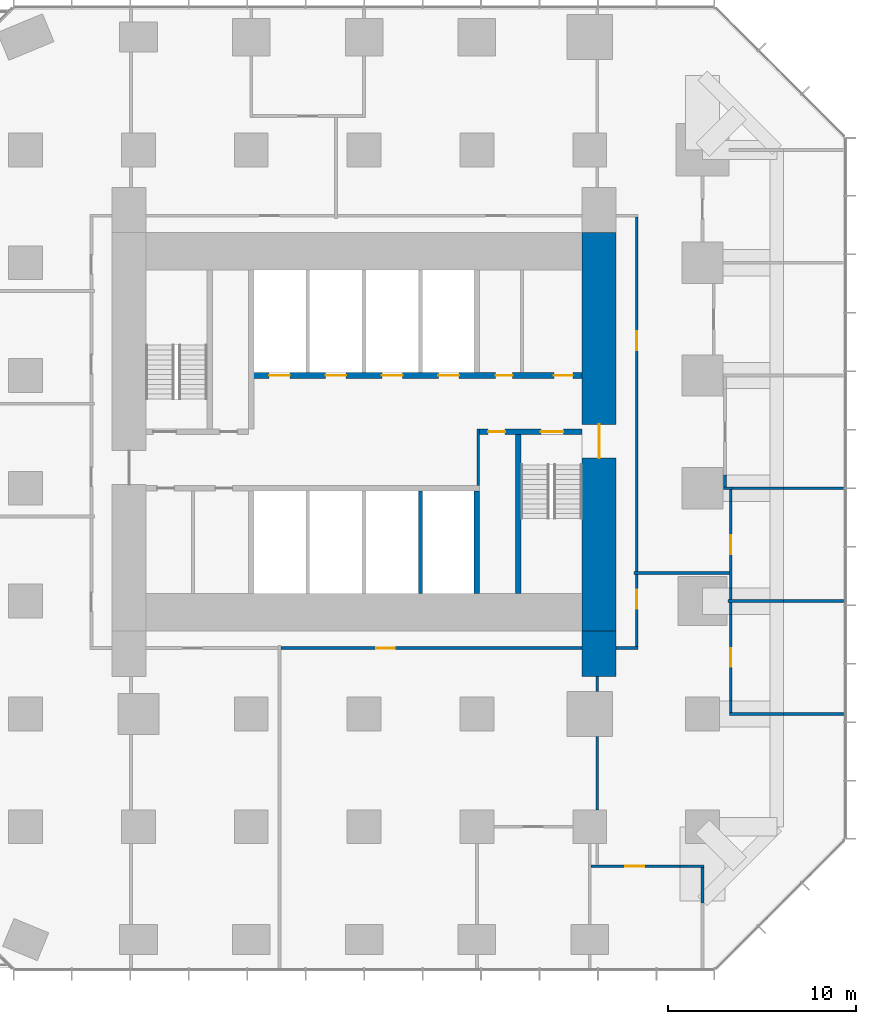
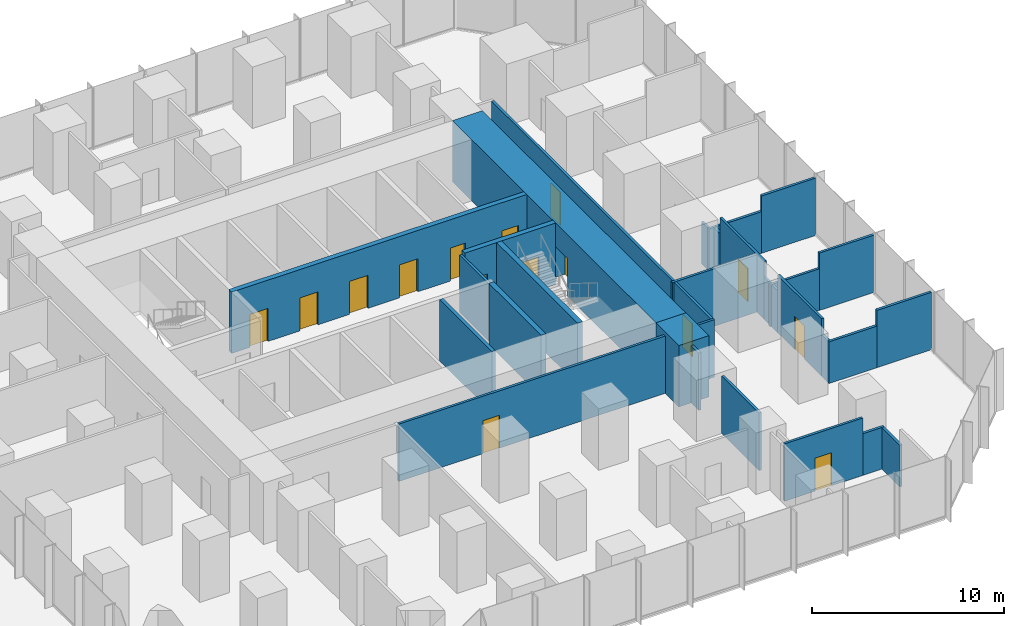
# One storey, part 9 of 12: 32 walls, 15 doors, 15 openings.
"""IFC4 building model written with IfcOpenShell, lengths in metres."""

from ifc_helpers import new_model, si_unit, direction, frame, frame_2d, origin, place, context, subcontext, project, spatial, rectangle, extrude, material, layer, layer_set, type_object, element, fill, save


model = new_model("IFC4")

# Units and contexts
model_context = context("Model", 3, precision=1e-05, world=origin(), true_north=direction((0.0, 1.0)))
body_context = subcontext(model_context, "Body", "Model", "MODEL_VIEW")
ifc_project = project(units=[si_unit("LENGTHUNIT", "METRE"), si_unit("AREAUNIT", "SQUARE_METRE"), si_unit("VOLUMEUNIT", "CUBIC_METRE"), si_unit("PLANEANGLEUNIT", "RADIAN"), si_unit("MASSUNIT", "GRAM", prefix="KILO")], contexts=[model_context])

# Site, building, storey
site_placement = place(None, origin())
site = spatial("IfcSite", under=ifc_project, at=site_placement, CompositionType="ELEMENT")
building_placement = place(site_placement, origin())
building = spatial("IfcBuilding", under=site, at=building_placement, Name="Highveld Stack Headquarters", CompositionType="ELEMENT")
storey_placement = place(building_placement, frame((0.0, 0.0, 41.60009765625)))
storey = spatial("IfcBuildingStorey", under=building, at=storey_placement, Name="L09", CompositionType="ELEMENT", Elevation=41.60009765625)

# Wall, opening, door
ifc_material_1 = material(Name="Concrete C60/75", Category="concrete")
ifc_layer_1 = layer(ifc_material_1, 1.800048828125)
ifc_layer_set_1 = layer_set([ifc_layer_1], Name="Concrete C60/75")
wall_type_1 = type_object("IfcWallType", Name="CORE WALL 1800 C60/75", PredefinedType="SHEAR", material=ifc_layer_set_1)
wall_1_placement = place(storey_placement, frame((18.5, -7.60009765625, 0.0), z_axis=(0.0, 0.0, 1.0), x_axis=(0.0, 1.0, 0.0)))
wall_1 = element("IfcWall", 1, at=wall_1_placement, inside=storey, type_object=wall_type_1, Name="Core wall E L09", PredefinedType="SHEAR", context=body_context, shape_type="SweptSolid", body=[
    extrude(rectangle(XDim=21.2001953125, YDim=1.800048828125, at=frame_2d((10.60009765625, 0.0))), origin(), (0.0, 0.0, 1.0), 3.89990234375),
])
opening_1_placement = place(wall_1_placement, frame((9.199951171875, 0.0, 0.0)))
opening_1 = element("IfcOpeningElement", 2, at=opening_1_placement, cuts=wall_1, Name="Opening L09-03", PredefinedType="OPENING", context=body_context, shape_type="SweptSolid", body=[
    extrude(rectangle(XDim=1.800048828125, YDim=2.39990234375, at=frame_2d((0.89990234375, 1.199951171875))), frame((0.0, 0.909912109375, 0.0), z_axis=(0.0, -1.0, 0.0), x_axis=(1.0, 0.0, 0.0)), (0.0, 0.0, 1.0), 1.820068359375),
])
ifc_material_2 = material(Name="Steel fire door", Category="steel")
door_type_1 = type_object("IfcDoorType", Name="LOBBY FIRE DOOR D4 1800x2400", OperationType="DOUBLE_DOOR_SINGLE_SWING", PredefinedType="DOOR", material=ifc_material_2)
door_1_placement = place(opening_1_placement, origin())
door_1 = element("IfcDoor", 3, at=door_1_placement, inside=storey, type_object=door_type_1, Name="Core east door L09", OperationType="DOUBLE_DOOR_SINGLE_SWING", OverallHeight=2.39990234375, OverallWidth=1.800048828125, PredefinedType="DOOR", context=body_context, shape_type="SweptSolid", body=[
    extrude(rectangle(XDim=1.800048828125, YDim=2.39990234375, at=frame_2d((0.89990234375, 1.199951171875))), frame((0.0, 0.02490234375, 0.0), z_axis=(0.0, -1.0, 0.0), x_axis=(1.0, 0.0, 0.0)), (0.0, 0.0, 1.0), 0.050048828125),
])
fill(opening_1, door_1)

# Wall, openings, doors
ifc_material_3 = material(Name="Concrete C60/75", Category="concrete")
ifc_layer_2 = layer(ifc_material_3, 0.300048828125)
ifc_layer_set_2 = layer_set([ifc_layer_2], Name="Concrete C60/75")
wall_type_2 = type_object("IfcWallType", Name="CORE WALL 300 C60/75", PredefinedType="SHEAR", material=ifc_layer_set_2)
wall_2_placement = place(storey_placement, frame((12.14990234375, 3.0, 0.0), z_axis=(0.0, 0.0, 1.0), x_axis=(1.0, 0.0, 0.0)))
wall_2 = element("IfcWall", 4, at=wall_2_placement, inside=storey, type_object=wall_type_2, Name="Core wall I-Y3E L09", PredefinedType="SHEAR", context=body_context, shape_type="SweptSolid", body=[
    extrude(rectangle(XDim=5.4501953125, YDim=0.300048828125, at=frame_2d((2.72509765625, 0.0))), origin(), (0.0, 0.0, 1.0), 3.89990234375),
])
opening_2_placement = place(wall_2_placement, frame((3.25, 0.0, 0.0)))
opening_2 = element("IfcOpeningElement", 5, at=opening_2_placement, cuts=wall_2, Name="Opening L09-06", PredefinedType="OPENING", context=body_context, shape_type="SweptSolid", body=[
    extrude(rectangle(XDim=1.199951171875, YDim=2.10009765625, at=frame_2d((0.60009765625, 1.050048828125))), frame((0.0, 0.159912109375, 0.0), z_axis=(0.0, -1.0, 0.0), x_axis=(1.0, 0.0, 0.0)), (0.0, 0.0, 1.0), 0.320068359375),
])
opening_3_placement = place(wall_2_placement, frame((0.449951171875, 0.0, 0.0)))
opening_3 = element("IfcOpeningElement", 6, at=opening_3_placement, cuts=wall_2, Name="Opening L09-07", PredefinedType="OPENING", context=body_context, shape_type="SweptSolid", body=[
    extrude(rectangle(XDim=0.89990234375, YDim=2.10009765625, at=frame_2d((0.449951171875, 1.050048828125))), frame((0.0, 0.159912109375, 0.0), z_axis=(0.0, -1.0, 0.0), x_axis=(1.0, 0.0, 0.0)), (0.0, 0.0, 1.0), 0.320068359375),
])
ifc_material_4 = material(Name="Steel fire door", Category="steel")
door_type_2 = type_object("IfcDoorType", Name="RISER ACCESS DOOR D5 900x2100", OperationType="SINGLE_SWING_LEFT", PredefinedType="DOOR", material=ifc_material_4)
door_2_placement = place(opening_3_placement, origin())
door_2 = element("IfcDoor", 7, at=door_2_placement, inside=storey, type_object=door_type_2, Name="Riser R2 door L09", OperationType="SINGLE_SWING_LEFT", OverallHeight=2.10009765625, OverallWidth=0.89990234375, PredefinedType="DOOR", context=body_context, shape_type="SweptSolid", body=[
    extrude(rectangle(XDim=0.89990234375, YDim=2.10009765625, at=frame_2d((0.449951171875, 1.050048828125))), frame((0.0, 0.02490234375, 0.0), z_axis=(0.0, -1.0, 0.0), x_axis=(1.0, 0.0, 0.0)), (0.0, 0.0, 1.0), 0.050048828125),
])
fill(opening_3, door_2)
ifc_material_5 = material(Name="Steel fire door", Category="steel")
door_type_3 = type_object("IfcDoorType", Name="STAIR FIRE DOOR D3 1200x2100", OperationType="SINGLE_SWING_LEFT", PredefinedType="DOOR", material=ifc_material_5)
door_3_placement = place(opening_2_placement, origin())
door_3 = element("IfcDoor", 8, at=door_3_placement, inside=storey, type_object=door_type_3, Name="Stair S2 door L09", OperationType="SINGLE_SWING_RIGHT", OverallHeight=2.10009765625, OverallWidth=1.199951171875, PredefinedType="DOOR", context=body_context, shape_type="SweptSolid", body=[
    extrude(rectangle(XDim=1.199951171875, YDim=2.10009765625, at=frame_2d((0.60009765625, 1.050048828125))), frame((0.0, 0.02490234375, 0.0), z_axis=(0.0, -1.0, 0.0), x_axis=(1.0, 0.0, 0.0)), (0.0, 0.0, 1.0), 0.050048828125),
])
fill(opening_2, door_3)

wall_3_placement = place(storey_placement, frame((-0.14990234375, 6.0, 0.0), z_axis=(0.0, 0.0, 1.0), x_axis=(1.0, 0.0, 0.0)))
wall_3 = element("IfcWall", 9, at=wall_3_placement, inside=storey, type_object=wall_type_2, Name="Core wall I-Y6 L09", PredefinedType="SHEAR", context=body_context, shape_type="SweptSolid", body=[
    extrude(rectangle(XDim=17.75, YDim=0.300048828125, at=frame_2d((8.875, 0.0))), origin(), (0.0, 0.0, 1.0), 3.89990234375),
])
opening_4_placement = place(wall_3_placement, frame((13.14990234375, 0.0, 0.0)))
opening_4 = element("IfcOpeningElement", 10, at=opening_4_placement, cuts=wall_3, Name="Opening L09-10", PredefinedType="OPENING", context=body_context, shape_type="SweptSolid", body=[
    extrude(rectangle(XDim=0.89990234375, YDim=2.10009765625, at=frame_2d((0.449951171875, 1.050048828125))), frame((0.0, 0.159912109375, 0.0), z_axis=(0.0, -1.0, 0.0), x_axis=(1.0, 0.0, 0.0)), (0.0, 0.0, 1.0), 0.320068359375),
])
opening_5_placement = place(wall_3_placement, frame((16.25, 0.0, 0.0)))
opening_5 = element("IfcOpeningElement", 11, at=opening_5_placement, cuts=wall_3, Name="Opening L09-11", PredefinedType="OPENING", context=body_context, shape_type="SweptSolid", body=[
    extrude(rectangle(XDim=1.0, YDim=2.10009765625, at=frame_2d((0.5, 1.050048828125))), frame((0.0, 0.159912109375, 0.0), z_axis=(0.0, -1.0, 0.0), x_axis=(1.0, 0.0, 0.0)), (0.0, 0.0, 1.0), 0.320068359375),
])
opening_6_placement = place(wall_3_placement, frame((1.10009765625, 0.0, 0.0)))
opening_6 = element("IfcOpeningElement", 12, at=opening_6_placement, cuts=wall_3, Name="Opening LD", PredefinedType="OPENING", context=body_context, shape_type="SweptSolid", body=[
    extrude(rectangle(XDim=1.10009765625, YDim=2.10009765625, at=frame_2d((0.550048828125, 1.050048828125))), frame((0.0, 0.159912109375, 0.0), z_axis=(0.0, -1.0, 0.0), x_axis=(1.0, 0.0, 0.0)), (0.0, 0.0, 1.0), 0.320068359375),
])
opening_7_placement = place(wall_3_placement, frame((4.10009765625, 0.0, 0.0)))
opening_7 = element("IfcOpeningElement", 13, at=opening_7_placement, cuts=wall_3, Name="Opening LD", PredefinedType="OPENING", context=body_context, shape_type="SweptSolid", body=[
    extrude(rectangle(XDim=1.10009765625, YDim=2.10009765625, at=frame_2d((0.550048828125, 1.050048828125))), frame((0.0, 0.159912109375, 0.0), z_axis=(0.0, -1.0, 0.0), x_axis=(1.0, 0.0, 0.0)), (0.0, 0.0, 1.0), 0.320068359375),
])
opening_8_placement = place(wall_3_placement, frame((7.10009765625, 0.0, 0.0)))
opening_8 = element("IfcOpeningElement", 14, at=opening_8_placement, cuts=wall_3, Name="Opening LD", PredefinedType="OPENING", context=body_context, shape_type="SweptSolid", body=[
    extrude(rectangle(XDim=1.10009765625, YDim=2.10009765625, at=frame_2d((0.550048828125, 1.050048828125))), frame((0.0, 0.159912109375, 0.0), z_axis=(0.0, -1.0, 0.0), x_axis=(1.0, 0.0, 0.0)), (0.0, 0.0, 1.0), 0.320068359375),
])
opening_9_placement = place(wall_3_placement, frame((10.10009765625, 0.0, 0.0)))
opening_9 = element("IfcOpeningElement", 15, at=opening_9_placement, cuts=wall_3, Name="Opening LD", PredefinedType="OPENING", context=body_context, shape_type="SweptSolid", body=[
    extrude(rectangle(XDim=1.10009765625, YDim=2.10009765625, at=frame_2d((0.550048828125, 1.050048828125))), frame((0.0, 0.159912109375, 0.0), z_axis=(0.0, -1.0, 0.0), x_axis=(1.0, 0.0, 0.0)), (0.0, 0.0, 1.0), 0.320068359375),
])
ifc_material_6 = material(Name="Timber door, painted", Category="wood")
door_type_4 = type_object("IfcDoorType", Name="ACCESSIBLE WC DOOR D2 1000x2100", OperationType="SINGLE_SWING_RIGHT", PredefinedType="DOOR", material=ifc_material_6)
door_4_placement = place(opening_5_placement, origin())
door_4 = element("IfcDoor", 16, at=door_4_placement, inside=storey, type_object=door_type_4, Name="Accessible WC door L09", OperationType="SINGLE_SWING_RIGHT", OverallHeight=2.10009765625, OverallWidth=1.0, PredefinedType="DOOR", context=body_context, shape_type="SweptSolid", body=[
    extrude(rectangle(XDim=1.0, YDim=2.10009765625, at=frame_2d((0.5, 1.050048828125))), frame((0.0, 0.02490234375, 0.0), z_axis=(0.0, -1.0, 0.0), x_axis=(1.0, 0.0, 0.0)), (0.0, 0.0, 1.0), 0.050048828125),
])
fill(opening_5, door_4)
ifc_material_7 = material(Name="Stainless steel lift landing door", Category="steel")
door_type_5 = type_object("IfcDoorType", Name="LIFT LANDING DOOR LD 1100x2100", OperationType="DOUBLE_DOOR_SLIDING", PredefinedType="USERDEFINED", material=ifc_material_7)
door_5_placement = place(opening_6_placement, origin())
door_5 = element("IfcDoor", 17, at=door_5_placement, inside=storey, type_object=door_type_5, Name="Lift landing door FF1 L09", ObjectType="LIFT LANDING DOOR", OperationType="DOUBLE_DOOR_SLIDING", OverallHeight=2.10009765625, OverallWidth=1.10009765625, PredefinedType="USERDEFINED", context=body_context, shape_type="SweptSolid", body=[
    extrude(rectangle(XDim=1.10009765625, YDim=2.10009765625, at=frame_2d((0.550048828125, 1.050048828125))), frame((0.0, 0.02490234375, 0.0), z_axis=(0.0, -1.0, 0.0), x_axis=(1.0, 0.0, 0.0)), (0.0, 0.0, 1.0), 0.050048828125),
])
fill(opening_6, door_5)
door_6_placement = place(opening_7_placement, origin())
door_6 = element("IfcDoor", 18, at=door_6_placement, inside=storey, type_object=door_type_5, Name="Lift landing door FF2 L09", ObjectType="LIFT LANDING DOOR", OperationType="DOUBLE_DOOR_SLIDING", OverallHeight=2.10009765625, OverallWidth=1.10009765625, PredefinedType="USERDEFINED", context=body_context, shape_type="SweptSolid", body=[
    extrude(rectangle(XDim=1.10009765625, YDim=2.10009765625, at=frame_2d((0.550048828125, 1.050048828125))), frame((0.0, 0.02490234375, 0.0), z_axis=(0.0, -1.0, 0.0), x_axis=(1.0, 0.0, 0.0)), (0.0, 0.0, 1.0), 0.050048828125),
])
fill(opening_7, door_6)
door_7_placement = place(opening_8_placement, origin())
door_7 = element("IfcDoor", 19, at=door_7_placement, inside=storey, type_object=door_type_5, Name="Lift landing door A1 L09", ObjectType="LIFT LANDING DOOR", OperationType="DOUBLE_DOOR_SLIDING", OverallHeight=2.10009765625, OverallWidth=1.10009765625, PredefinedType="USERDEFINED", context=body_context, shape_type="SweptSolid", body=[
    extrude(rectangle(XDim=1.10009765625, YDim=2.10009765625, at=frame_2d((0.550048828125, 1.050048828125))), frame((0.0, 0.02490234375, 0.0), z_axis=(0.0, -1.0, 0.0), x_axis=(1.0, 0.0, 0.0)), (0.0, 0.0, 1.0), 0.050048828125),
])
fill(opening_8, door_7)
door_8_placement = place(opening_9_placement, origin())
door_8 = element("IfcDoor", 20, at=door_8_placement, inside=storey, type_object=door_type_5, Name="Lift landing door A2 L09", ObjectType="LIFT LANDING DOOR", OperationType="DOUBLE_DOOR_SLIDING", OverallHeight=2.10009765625, OverallWidth=1.10009765625, PredefinedType="USERDEFINED", context=body_context, shape_type="SweptSolid", body=[
    extrude(rectangle(XDim=1.10009765625, YDim=2.10009765625, at=frame_2d((0.550048828125, 1.050048828125))), frame((0.0, 0.02490234375, 0.0), z_axis=(0.0, -1.0, 0.0), x_axis=(1.0, 0.0, 0.0)), (0.0, 0.0, 1.0), 0.050048828125),
])
fill(opening_9, door_8)
ifc_material_8 = material(Name="Timber door, painted", Category="wood")
door_type_6 = type_object("IfcDoorType", Name="WC DOOR D1 900x2100", OperationType="SINGLE_SWING_LEFT", PredefinedType="DOOR", material=ifc_material_8)
door_9_placement = place(opening_4_placement, origin())
door_9 = element("IfcDoor", 21, at=door_9_placement, inside=storey, type_object=door_type_6, Name="Male WC door L09", OperationType="SINGLE_SWING_RIGHT", OverallHeight=2.10009765625, OverallWidth=0.89990234375, PredefinedType="DOOR", context=body_context, shape_type="SweptSolid", body=[
    extrude(rectangle(XDim=0.89990234375, YDim=2.10009765625, at=frame_2d((0.449951171875, 1.050048828125))), frame((0.0, 0.02490234375, 0.0), z_axis=(0.0, -1.0, 0.0), x_axis=(1.0, 0.0, 0.0)), (0.0, 0.0, 1.0), 0.050048828125),
])
fill(opening_4, door_9)

# Walls
wall_4_placement = place(storey_placement, frame((12.0, -5.60009765625, 0.0), z_axis=(0.0, 0.0, 1.0), x_axis=(0.0, 1.0, 0.0)))
element("IfcWall", 22, at=wall_4_placement, inside=storey, type_object=wall_type_2, Name="Core wall I-X12S L09", PredefinedType="SHEAR", context=body_context, shape_type="SweptSolid", body=[
    extrude(rectangle(XDim=5.4501953125, YDim=0.300048828125, at=frame_2d((2.72509765625, 0.0))), origin(), (0.0, 0.0, 1.0), 3.89990234375),
])
wall_5_placement = place(storey_placement, frame((14.199951171875, -5.60009765625, 0.0), z_axis=(0.0, 0.0, 1.0), x_axis=(0.0, 1.0, 0.0)))
element("IfcWall", 23, at=wall_5_placement, inside=storey, type_object=wall_type_2, Name="Core wall I-RE L09", PredefinedType="SHEAR", context=body_context, shape_type="SweptSolid", body=[
    extrude(rectangle(XDim=8.4501953125, YDim=0.300048828125, at=frame_2d((4.22509765625, 0.0))), origin(), (0.0, 0.0, 1.0), 3.89990234375),
])
ifc_material_9 = material(Name="Concrete C60/75", Category="concrete")
ifc_layer_3 = layer(ifc_material_9, 1.800048828125)
ifc_layer_set_3 = layer_set([ifc_layer_3], Name="Concrete C60/75")
wall_type_3 = type_object("IfcWallType", Name="CORE WING WALL 1800 C60/75", PredefinedType="SHEAR", material=ifc_layer_set_3)
wall_6_placement = place(storey_placement, frame((18.5, -10.0, 0.0), z_axis=(0.0, 0.0, 1.0), x_axis=(0.0, 1.0, 0.0)))
element("IfcWall", 24, at=wall_6_placement, inside=storey, type_object=wall_type_3, Name="Core wing wall ES L09", PredefinedType="SHEAR", context=body_context, shape_type="SweptSolid", body=[
    extrude(rectangle(XDim=2.39990234375, YDim=1.800048828125, at=frame_2d((1.199951171875, 0.0))), origin(), (0.0, 0.0, 1.0), 3.89990234375),
])
ifc_material_10 = material(Name="Concrete blockwork, plastered", Category="masonry")
ifc_layer_4 = layer(ifc_material_10, 0.14990234375)
ifc_layer_set_4 = layer_set([ifc_layer_4], Name="Concrete blockwork, plastered")
wall_type_4 = type_object("IfcWallType", Name="FIRE PARTITION 150 BLOCKWORK", PredefinedType="PARTITIONING", material=ifc_layer_set_4)
wall_7_placement = place(storey_placement, frame((12.074951171875, 0.14990234375, 0.0), z_axis=(0.0, 0.0, 1.0), x_axis=(0.0, 1.0, 0.0)))
element("IfcWall", 25, at=wall_7_placement, inside=storey, type_object=wall_type_4, Name="Riser R2 enclosure L09", PredefinedType="PARTITIONING", context=body_context, shape_type="SweptSolid", body=[
    extrude(rectangle(XDim=3.0, YDim=0.14990234375, at=frame_2d((1.5, 0.0))), origin(), (0.0, 0.0, 1.0), 3.64990234375),
])
ifc_material_11 = material(Name="Concrete blockwork, fair-faced", Category="masonry")
ifc_layer_5 = layer(ifc_material_11, 0.199951171875)
ifc_layer_set_5 = layer_set([ifc_layer_5], Name="Concrete blockwork, fair-faced")
wall_type_5 = type_object("IfcWallType", Name="LIFT SHAFT ENCLOSURE WALL 200 BLOCKWORK", PredefinedType="SOLIDWALL", material=ifc_layer_set_5)
wall_8_placement = place(storey_placement, frame((9.0, -5.60009765625, 0.0), z_axis=(0.0, 0.0, 1.0), x_axis=(0.0, 1.0, 0.0)))
element("IfcWall", 26, at=wall_8_placement, inside=storey, type_object=wall_type_5, Name="Lift shaft wall L09", PredefinedType="SOLIDWALL", context=body_context, shape_type="SweptSolid", body=[
    extrude(rectangle(XDim=5.4501953125, YDim=0.199951171875, at=frame_2d((2.72509765625, 0.0))), origin(), (0.0, 0.0, 1.0), 3.89990234375),
])

# Wall, opening, door
ifc_material_12 = material(Name="Gypsum plasterboard on steel studs", Category="steel")
ifc_layer_6 = layer(ifc_material_12, 0.14990234375)
ifc_layer_set_6 = layer_set([ifc_layer_6], Name="Gypsum plasterboard on steel studs")
wall_type_6 = type_object("IfcWallType", Name="PARTITION 150 PLASTERBOARD", PredefinedType="PARTITIONING", material=ifc_layer_set_6)
wall_9_placement = place(storey_placement, frame((18.074951171875, -20.10009765625, 0.0), z_axis=(0.0, 0.0, 1.0), x_axis=(1.0, 0.0, 0.0)))
wall_9 = element("IfcWall", 27, at=wall_9_placement, inside=storey, type_object=wall_type_6, Name="Partition Focus room L09", PredefinedType="PARTITIONING", context=body_context, shape_type="SweptSolid", body=[
    extrude(rectangle(XDim=4.715087890625, YDim=0.14990234375, at=frame_2d((2.357421875, 0.0))), origin(), (0.0, 0.0, 1.0), 3.64990234375),
])
opening_10_placement = place(wall_9_placement, frame((1.820068359375, 0.0, 0.0)))
opening_10 = element("IfcOpeningElement", 28, at=opening_10_placement, cuts=wall_9, Name="Opening L09-13", PredefinedType="OPENING", context=body_context, shape_type="SweptSolid", body=[
    extrude(rectangle(XDim=1.0, YDim=2.10009765625, at=frame_2d((0.5, 1.050048828125))), frame((0.0, 0.0849609375, 0.0), z_axis=(0.0, -1.0, 0.0), x_axis=(1.0, 0.0, 0.0)), (0.0, 0.0, 1.0), 0.169921875),
])
ifc_material_13 = material(Name="Timber door, oiled ash", Category="wood")
door_type_7 = type_object("IfcDoorType", Name="ROOM DOOR D6 1000x2100", OperationType="SINGLE_SWING_LEFT", PredefinedType="DOOR", material=ifc_material_13)
door_10_placement = place(opening_10_placement, origin())
door_10 = element("IfcDoor", 29, at=door_10_placement, inside=storey, type_object=door_type_7, Name="Focus room door 1 L09", OperationType="SINGLE_SWING_LEFT", OverallHeight=2.10009765625, OverallWidth=1.0, PredefinedType="DOOR", context=body_context, shape_type="SweptSolid", body=[
    extrude(rectangle(XDim=1.0, YDim=2.10009765625, at=frame_2d((0.5, 1.050048828125))), frame((0.0, 0.02490234375, 0.0), z_axis=(0.0, -1.0, 0.0), x_axis=(1.0, 0.0, 0.0)), (0.0, 0.0, 1.0), 0.050048828125),
])
fill(opening_10, door_10)

# Walls
wall_10_placement = place(storey_placement, frame((22.7900390625, -20.10009765625, 0.0), z_axis=(0.0, 0.0, 1.0), x_axis=(1.0, 0.0, 0.0)))
element("IfcWall", 30, at=wall_10_placement, inside=storey, type_object=wall_type_6, Name="Partition Focus room L09", PredefinedType="PARTITIONING", context=body_context, shape_type="SweptSolid", body=[
    extrude(rectangle(XDim=1.284912109375, YDim=0.14990234375, at=frame_2d((0.642578125, 0.0))), origin(), (0.0, 0.0, 1.0), 2.64990234375),
])
wall_11_placement = place(storey_placement, frame((25.425048828125, -12.0, 0.0), z_axis=(0.0, 0.0, 1.0), x_axis=(1.0, 0.0, 0.0)))
element("IfcWall", 31, at=wall_11_placement, inside=storey, type_object=wall_type_6, Name="Partition Quiet room L09", PredefinedType="PARTITIONING", context=body_context, shape_type="SweptSolid", body=[
    extrude(rectangle(XDim=2.885009765625, YDim=0.14990234375, at=frame_2d((1.4423828125, 0.0))), origin(), (0.0, 0.0, 1.0), 2.64990234375),
])
wall_12_placement = place(storey_placement, frame((28.31005859375, -12.0, 0.0), z_axis=(0.0, 0.0, 1.0), x_axis=(1.0, 0.0, 0.0)))
element("IfcWall", 32, at=wall_12_placement, inside=storey, type_object=wall_type_6, Name="Partition Quiet room L09", PredefinedType="PARTITIONING", context=body_context, shape_type="SweptSolid", body=[
    extrude(rectangle(XDim=3.2900390625, YDim=0.14990234375, at=frame_2d((1.64501953125, 0.0))), origin(), (0.0, 0.0, 1.0), 3.64990234375),
])
wall_13_placement = place(storey_placement, frame((25.35009765625, -6.0, 0.0), z_axis=(0.0, 0.0, 1.0), x_axis=(1.0, 0.0, 0.0)))
element("IfcWall", 33, at=wall_13_placement, inside=storey, type_object=wall_type_6, Name="Partition Quiet room L09", PredefinedType="PARTITIONING", context=body_context, shape_type="SweptSolid", body=[
    extrude(rectangle(XDim=2.9599609375, YDim=0.14990234375, at=frame_2d((1.47998046875, 0.0))), origin(), (0.0, 0.0, 1.0), 2.64990234375),
])
wall_14_placement = place(storey_placement, frame((28.31005859375, -6.0, 0.0), z_axis=(0.0, 0.0, 1.0), x_axis=(1.0, 0.0, 0.0)))
element("IfcWall", 34, at=wall_14_placement, inside=storey, type_object=wall_type_6, Name="Partition Quiet room L09", PredefinedType="PARTITIONING", context=body_context, shape_type="SweptSolid", body=[
    extrude(rectangle(XDim=3.2900390625, YDim=0.14990234375, at=frame_2d((1.64501953125, 0.0))), origin(), (0.0, 0.0, 1.0), 3.64990234375),
])
wall_15_placement = place(storey_placement, frame((25.125, 0.0, 0.0), z_axis=(0.0, 0.0, 1.0), x_axis=(1.0, 0.0, 0.0)))
element("IfcWall", 35, at=wall_15_placement, inside=storey, type_object=wall_type_6, Name="Partition Tea kitchen L09", PredefinedType="PARTITIONING", context=body_context, shape_type="SweptSolid", body=[
    extrude(rectangle(XDim=0.449951171875, YDim=0.14990234375, at=frame_2d((0.22509765625, 0.0))), origin(), (0.0, 0.0, 1.0), 2.64990234375),
])
wall_16_placement = place(storey_placement, frame((25.5, 0.0, 0.0), z_axis=(0.0, 0.0, 1.0), x_axis=(1.0, 0.0, 0.0)))
element("IfcWall", 36, at=wall_16_placement, inside=storey, type_object=wall_type_6, Name="Partition Quiet room / Tea kitchen L09", PredefinedType="PARTITIONING", context=body_context, shape_type="SweptSolid", body=[
    extrude(rectangle(XDim=2.81005859375, YDim=0.14990234375, at=frame_2d((1.405029296875, 0.0))), origin(), (0.0, 0.0, 1.0), 2.64990234375),
])
wall_17_placement = place(storey_placement, frame((28.31005859375, 0.0, 0.0), z_axis=(0.0, 0.0, 1.0), x_axis=(1.0, 0.0, 0.0)))
element("IfcWall", 37, at=wall_17_placement, inside=storey, type_object=wall_type_6, Name="Partition Quiet room / Tea kitchen L09", PredefinedType="PARTITIONING", context=body_context, shape_type="SweptSolid", body=[
    extrude(rectangle(XDim=3.239990234375, YDim=0.14990234375, at=frame_2d((1.6201171875, 0.0))), origin(), (0.0, 0.0, 1.0), 3.64990234375),
])
wall_18_placement = place(storey_placement, frame((24.0, -22.044921875, 0.0), z_axis=(0.0, 0.0, 1.0), x_axis=(0.0, 1.0, 0.0)))
element("IfcWall", 38, at=wall_18_placement, inside=storey, type_object=wall_type_6, Name="Partition Focus room L09", PredefinedType="PARTITIONING", context=body_context, shape_type="SweptSolid", body=[
    extrude(rectangle(XDim=1.869873046875, YDim=0.14990234375, at=frame_2d((0.93505859375, 0.0))), origin(), (0.0, 0.0, 1.0), 2.64990234375),
])
for number, where, z_axis, x_axis, name in (
    (39, (25.199951171875, 0.074951171875, 0.0), (0.0, 0.0, 1.0), (0.0, 1.0, 0.0), "Partition Tea kitchen L09"),
    (40, (25.5, -11.925048828125, 0.0), (0.0, 0.0, 1.0), (0.0, 1.0, 0.0), "Partition Quiet room L09"),
):
    element("IfcWall", number, at=place(storey_placement, frame(where, z_axis=z_axis, x_axis=x_axis)), inside=storey, type_object=wall_type_6, Name=name, PredefinedType="PARTITIONING", context=body_context, shape_type="SweptSolid", body=[
        extrude(rectangle(XDim=0.635009765625, YDim=0.14990234375, at=frame_2d((0.3173828125, 0.0))), origin(), (0.0, 0.0, 1.0), 2.64990234375),
    ])

# Wall, opening, door
wall_19_placement = place(storey_placement, frame((25.5, -11.2900390625, 0.0), z_axis=(0.0, 0.0, 1.0), x_axis=(0.0, 1.0, 0.0)))
wall_19 = element("IfcWall", 41, at=wall_19_placement, inside=storey, type_object=wall_type_6, Name="Partition Quiet room L09", PredefinedType="PARTITIONING", context=body_context, shape_type="SweptSolid", body=[
    extrude(rectangle(XDim=4.580078125, YDim=0.14990234375, at=frame_2d((2.2900390625, 0.0))), origin(), (0.0, 0.0, 1.0), 3.64990234375),
])
opening_11_placement = place(wall_19_placement, frame((1.7900390625, 0.0, 0.0)))
opening_11 = element("IfcOpeningElement", 42, at=opening_11_placement, cuts=wall_19, Name="Opening L09-14", PredefinedType="OPENING", context=body_context, shape_type="SweptSolid", body=[
    extrude(rectangle(XDim=1.0, YDim=2.10009765625, at=frame_2d((0.5, 1.050048828125))), frame((0.0, 0.0849609375, 0.0), z_axis=(0.0, -1.0, 0.0), x_axis=(1.0, 0.0, 0.0)), (0.0, 0.0, 1.0), 0.169921875),
])
door_11_placement = place(opening_11_placement, origin())
door_11 = element("IfcDoor", 43, at=door_11_placement, inside=storey, type_object=door_type_7, Name="Quiet room door 1 L09", OperationType="SINGLE_SWING_LEFT", OverallHeight=2.10009765625, OverallWidth=1.0, PredefinedType="DOOR", context=body_context, shape_type="SweptSolid", body=[
    extrude(rectangle(XDim=1.0, YDim=2.10009765625, at=frame_2d((0.5, 1.050048828125))), frame((0.0, 0.02490234375, 0.0), z_axis=(0.0, -1.0, 0.0), x_axis=(1.0, 0.0, 0.0)), (0.0, 0.0, 1.0), 0.050048828125),
])
fill(opening_11, door_11)

# Walls
for number, where, z_axis, x_axis, name in (
    (44, (25.5, -6.7099609375, 0.0), (0.0, 0.0, 1.0), (0.0, 1.0, 0.0), "Partition Quiet room L09"),
    (45, (25.5, -5.925048828125, 0.0), (0.0, 0.0, 1.0), (0.0, 1.0, 0.0), "Partition Quiet room L09"),
):
    element("IfcWall", number, at=place(storey_placement, frame(where, z_axis=z_axis, x_axis=x_axis)), inside=storey, type_object=wall_type_6, Name=name, PredefinedType="PARTITIONING", context=body_context, shape_type="SweptSolid", body=[
        extrude(rectangle(XDim=0.635009765625, YDim=0.14990234375, at=frame_2d((0.3173828125, 0.0))), origin(), (0.0, 0.0, 1.0), 2.64990234375),
    ])

# Wall, opening, door
wall_20_placement = place(storey_placement, frame((25.5, -5.2900390625, 0.0), z_axis=(0.0, 0.0, 1.0), x_axis=(0.0, 1.0, 0.0)))
wall_20 = element("IfcWall", 46, at=wall_20_placement, inside=storey, type_object=wall_type_6, Name="Partition Quiet room L09", PredefinedType="PARTITIONING", context=body_context, shape_type="SweptSolid", body=[
    extrude(rectangle(XDim=4.580078125, YDim=0.14990234375, at=frame_2d((2.2900390625, 0.0))), origin(), (0.0, 0.0, 1.0), 3.64990234375),
])
opening_12_placement = place(wall_20_placement, frame((1.7900390625, 0.0, 0.0)))
opening_12 = element("IfcOpeningElement", 47, at=opening_12_placement, cuts=wall_20, Name="Opening L09-15", PredefinedType="OPENING", context=body_context, shape_type="SweptSolid", body=[
    extrude(rectangle(XDim=1.0, YDim=2.10009765625, at=frame_2d((0.5, 1.050048828125))), frame((0.0, 0.0849609375, 0.0), z_axis=(0.0, -1.0, 0.0), x_axis=(1.0, 0.0, 0.0)), (0.0, 0.0, 1.0), 0.169921875),
])
door_12_placement = place(opening_12_placement, origin())
door_12 = element("IfcDoor", 48, at=door_12_placement, inside=storey, type_object=door_type_7, Name="Quiet room door 1 L09", OperationType="SINGLE_SWING_LEFT", OverallHeight=2.10009765625, OverallWidth=1.0, PredefinedType="DOOR", context=body_context, shape_type="SweptSolid", body=[
    extrude(rectangle(XDim=1.0, YDim=2.10009765625, at=frame_2d((0.5, 1.050048828125))), frame((0.0, 0.02490234375, 0.0), z_axis=(0.0, -1.0, 0.0), x_axis=(1.0, 0.0, 0.0)), (0.0, 0.0, 1.0), 0.050048828125),
])
fill(opening_12, door_12)

# Wall
wall_21_placement = place(storey_placement, frame((25.5, -0.7099609375, 0.0), z_axis=(0.0, 0.0, 1.0), x_axis=(0.0, 1.0, 0.0)))
element("IfcWall", 49, at=wall_21_placement, inside=storey, type_object=wall_type_6, Name="Partition Quiet room L09", PredefinedType="PARTITIONING", context=body_context, shape_type="SweptSolid", body=[
    extrude(rectangle(XDim=0.635009765625, YDim=0.14990234375, at=frame_2d((0.3173828125, 0.0))), origin(), (0.0, 0.0, 1.0), 2.64990234375),
])

# Wall, opening, door
wall_22_placement = place(storey_placement, frame((17.60009765625, -8.5, 0.0), z_axis=(0.0, 0.0, 1.0), x_axis=(-1.0, 0.0, 0.0)))
wall_22 = element("IfcWall", 50, at=wall_22_placement, inside=storey, type_object=wall_type_6, Name="Partition office neighbourhood L09", PredefinedType="PARTITIONING", context=body_context, shape_type="SweptSolid", body=[
    extrude(rectangle(XDim=16.025146484375, YDim=0.14990234375, at=frame_2d((8.0126953125, 0.0))), origin(), (0.0, 0.0, 1.0), 3.64990234375),
])
opening_13_placement = place(wall_22_placement, frame((9.965087890625, 0.0, 0.0)))
opening_13 = element("IfcOpeningElement", 51, at=opening_13_placement, cuts=wall_22, Name="Opening L09-27", PredefinedType="OPENING", context=body_context, shape_type="SweptSolid", body=[
    extrude(rectangle(XDim=1.0, YDim=2.10009765625, at=frame_2d((0.5, 1.050048828125))), frame((0.0, 0.0849609375, 0.0), z_axis=(0.0, -1.0, 0.0), x_axis=(1.0, 0.0, 0.0)), (0.0, 0.0, 1.0), 0.169921875),
])
door_13_placement = place(opening_13_placement, origin())
door_13 = element("IfcDoor", 52, at=door_13_placement, inside=storey, type_object=door_type_7, Name="Office neighbourhood door L09", OperationType="SINGLE_SWING_RIGHT", OverallHeight=2.10009765625, OverallWidth=1.0, PredefinedType="DOOR", context=body_context, shape_type="SweptSolid", body=[
    extrude(rectangle(XDim=1.0, YDim=2.10009765625, at=frame_2d((0.5, 1.050048828125))), frame((0.0, 0.02490234375, 0.0), z_axis=(0.0, -1.0, 0.0), x_axis=(1.0, 0.0, 0.0)), (0.0, 0.0, 1.0), 0.050048828125),
])
fill(opening_13, door_13)

# Walls
wall_23_placement = place(storey_placement, frame((18.39990234375, -17.10009765625, 0.0), z_axis=(0.0, 0.0, 1.0), x_axis=(0.0, 1.0, 0.0)))
element("IfcWall", 53, at=wall_23_placement, inside=storey, type_object=wall_type_6, Name="Partition office neighbourhood L09", PredefinedType="PARTITIONING", context=body_context, shape_type="SweptSolid", body=[
    extrude(rectangle(XDim=3.900146484375, YDim=0.14990234375, at=frame_2d((1.9501953125, 0.0))), origin(), (0.0, 0.0, 1.0), 3.64990234375),
])
wall_24_placement = place(storey_placement, frame((18.39990234375, -10.800048828125, 0.0), z_axis=(0.0, 0.0, 1.0), x_axis=(0.0, 1.0, 0.0)))
element("IfcWall", 54, at=wall_24_placement, inside=storey, type_object=wall_type_6, Name="Partition office neighbourhood L09", PredefinedType="PARTITIONING", context=body_context, shape_type="SweptSolid", body=[
    extrude(rectangle(XDim=0.800048828125, YDim=0.14990234375, at=frame_2d((0.39990234375, 0.0))), origin(), (0.0, 0.0, 1.0), 3.64990234375),
])
wall_25_placement = place(storey_placement, frame((19.39990234375, -8.5, 0.0), z_axis=(0.0, 0.0, 1.0), x_axis=(1.0, 0.0, 0.0)))
element("IfcWall", 55, at=wall_25_placement, inside=storey, type_object=wall_type_6, Name="Partition office neighbourhood L09", PredefinedType="PARTITIONING", context=body_context, shape_type="SweptSolid", body=[
    extrude(rectangle(XDim=1.175048828125, YDim=0.14990234375, at=frame_2d((0.58740234375, 0.0))), origin(), (0.0, 0.0, 1.0), 3.64990234375),
])

# Wall, opening, door
wall_26_placement = place(storey_placement, frame((20.5, -8.425048828125, 0.0), z_axis=(0.0, 0.0, 1.0), x_axis=(0.0, 1.0, 0.0)))
wall_26 = element("IfcWall", 56, at=wall_26_placement, inside=storey, type_object=wall_type_6, Name="Partition office neighbourhood L09", PredefinedType="PARTITIONING", context=body_context, shape_type="SweptSolid", body=[
    extrude(rectangle(XDim=3.85009765625, YDim=0.14990234375, at=frame_2d((1.925048828125, 0.0))), origin(), (0.0, 0.0, 1.0), 3.64990234375),
])
opening_14_placement = place(wall_26_placement, frame((2.02490234375, 0.0, 0.0)))
opening_14 = element("IfcOpeningElement", 57, at=opening_14_placement, cuts=wall_26, Name="Opening L09-20", PredefinedType="OPENING", context=body_context, shape_type="SweptSolid", body=[
    extrude(rectangle(XDim=1.0, YDim=2.10009765625, at=frame_2d((0.5, 1.050048828125))), frame((0.0, 0.0849609375, 0.0), z_axis=(0.0, -1.0, 0.0), x_axis=(1.0, 0.0, 0.0)), (0.0, 0.0, 1.0), 0.169921875),
])
door_14_placement = place(opening_14_placement, origin())
door_14 = element("IfcDoor", 58, at=door_14_placement, inside=storey, type_object=door_type_7, Name="Office neighbourhood door L09", OperationType="SINGLE_SWING_RIGHT", OverallHeight=2.10009765625, OverallWidth=1.0, PredefinedType="DOOR", context=body_context, shape_type="SweptSolid", body=[
    extrude(rectangle(XDim=1.0, YDim=2.10009765625, at=frame_2d((0.5, 1.050048828125))), frame((0.0, 0.02490234375, 0.0), z_axis=(0.0, -1.0, 0.0), x_axis=(1.0, 0.0, 0.0)), (0.0, 0.0, 1.0), 0.050048828125),
])
fill(opening_14, door_14)

wall_27_placement = place(storey_placement, frame((20.5, -4.425048828125, 0.0), z_axis=(0.0, 0.0, 1.0), x_axis=(0.0, 1.0, 0.0)))
wall_27 = element("IfcWall", 59, at=wall_27_placement, inside=storey, type_object=wall_type_6, Name="Partition office neighbourhood L09", PredefinedType="PARTITIONING", context=body_context, shape_type="SweptSolid", body=[
    extrude(rectangle(XDim=18.85009765625, YDim=0.14990234375, at=frame_2d((9.425048828125, 0.0))), origin(), (0.0, 0.0, 1.0), 3.64990234375),
])
opening_15_placement = place(wall_27_placement, frame((11.77490234375, 0.0, 0.0)))
opening_15 = element("IfcOpeningElement", 60, at=opening_15_placement, cuts=wall_27, Name="Opening L09-24", PredefinedType="OPENING", context=body_context, shape_type="SweptSolid", body=[
    extrude(rectangle(XDim=1.0, YDim=2.10009765625, at=frame_2d((0.5, 1.050048828125))), frame((0.0, 0.0849609375, 0.0), z_axis=(0.0, -1.0, 0.0), x_axis=(1.0, 0.0, 0.0)), (0.0, 0.0, 1.0), 0.169921875),
])
door_15_placement = place(opening_15_placement, origin())
door_15 = element("IfcDoor", 61, at=door_15_placement, inside=storey, type_object=door_type_7, Name="Office neighbourhood door L09", OperationType="SINGLE_SWING_RIGHT", OverallHeight=2.10009765625, OverallWidth=1.0, PredefinedType="DOOR", context=body_context, shape_type="SweptSolid", body=[
    extrude(rectangle(XDim=1.0, YDim=2.10009765625, at=frame_2d((0.5, 1.050048828125))), frame((0.0, 0.02490234375, 0.0), z_axis=(0.0, -1.0, 0.0), x_axis=(1.0, 0.0, 0.0)), (0.0, 0.0, 1.0), 0.050048828125),
])
fill(opening_15, door_15)

# Wall
wall_28_placement = place(storey_placement, frame((20.35009765625, -4.5, 0.0), z_axis=(0.0, 0.0, 1.0), x_axis=(1.0, 0.0, 0.0)))
element("IfcWall", 62, at=wall_28_placement, inside=storey, type_object=wall_type_6, Name="Partition office neighbourhood L09", PredefinedType="PARTITIONING", context=body_context, shape_type="SweptSolid", body=[
    extrude(rectangle(XDim=5.074951171875, YDim=0.14990234375, at=frame_2d((2.53759765625, 0.0))), origin(), (0.0, 0.0, 1.0), 3.64990234375),
])

save(model, "model.ifc")
